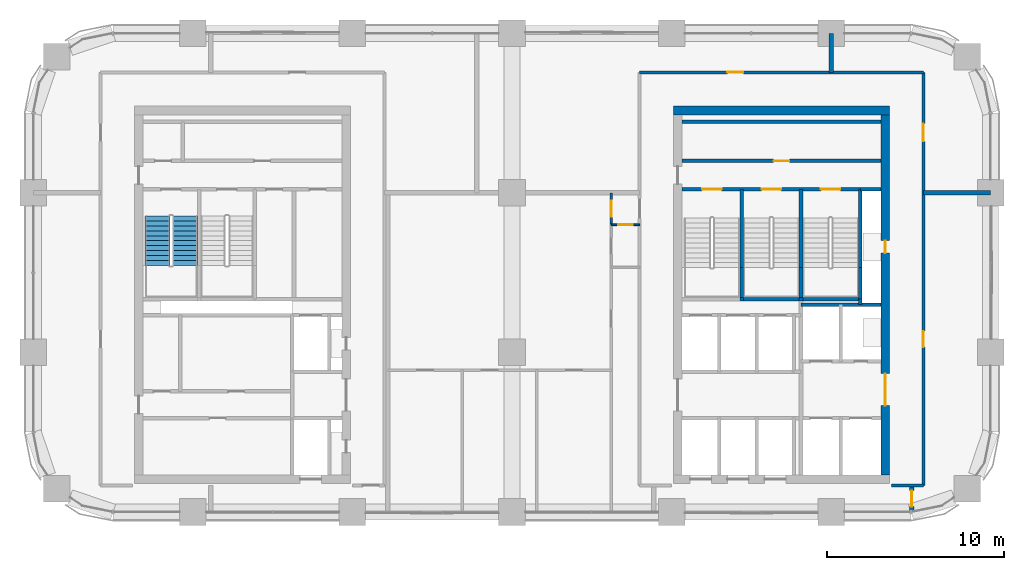
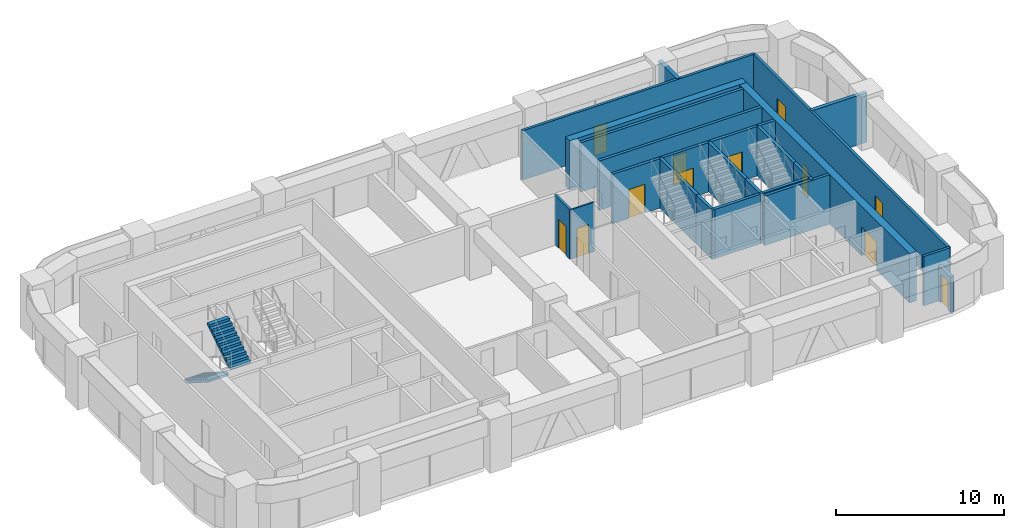
# One storey, part 11 of 19: 26 walls, 12 doors, 2 stair flights, 12 openings, 1 element without a shape of its own.
"""IFC4 building model written with IfcOpenShell, lengths in metres."""

import ifcopenshell
import ifcopenshell.guid

model = None  # the IFC model being written
_history = None  # IfcOwnerHistory: only IFC2X3 demands one
_inside = {}  # id of a spatial element -> (the spatial element, [elements in it])
_under = {}  # id of a project, library or spatial element -> (it, [spatial elements below it])
_declared = {}  # id of a project -> (the project, [libraries it declares])
_typed = {}  # id of a type object -> (the type object, [elements of that type])
_made_of = {}  # id of a material, layer set ... -> (it, [elements and type objects made of it])


def new_model(schema):
    """Start an empty IFC model of exactly this schema.

    Asked for "IFC4X3", IfcOpenShell would pick the latest addendum, in which some entities
    have other attributes; the version numbers below select the first issue.
    IFC2X3 requires an IfcOwnerHistory on every rooted entity: one is made here for all.
    """
    global model, _history
    if schema == "IFC4X3":
        model = ifcopenshell.file(schema_version=(4, 3, 0, 0))
    else:
        model = ifcopenshell.file(schema=schema)
    _inside.clear()
    _under.clear()
    _declared.clear()
    _typed.clear()
    _made_of.clear()
    _history = None
    if model.schema == "IFC2X3":
        org = make("IfcOrganization", Name="unknown")
        user = make(
            "IfcPersonAndOrganization",
            ThePerson=make("IfcPerson", FamilyName="unknown"),
            TheOrganization=org,
        )
        app = make(
            "IfcApplication",
            ApplicationDeveloper=org,
            Version="unknown",
            ApplicationFullName="unknown",
            ApplicationIdentifier="unknown",
        )
        _history = make(
            "IfcOwnerHistory",
            OwningUser=user,
            OwningApplication=app,
            ChangeAction="ADDED",
            CreationDate=0,
        )
    return model


def make(cls, **values):
    """One entity of the class cls with the attributes given. An attribute that is None is left unset."""
    return model.create_entity(
        cls, **{name: value for name, value in values.items() if value is not None}
    )


def rooted(cls, **values):
    """An entity with a GlobalId (a new one), such as an element, a storey or a relation."""
    return make(cls, GlobalId=ifcopenshell.guid.new(), OwnerHistory=_history, **values)


def si_unit(unit_type, name, prefix=None):
    """IfcSIUnit, for example si_unit("LENGTHUNIT", "METRE", prefix="MILLI")."""
    return make("IfcSIUnit", UnitType=unit_type, Prefix=prefix, Name=name)


def assignment(units):
    """IfcUnitAssignment: the units of a project."""
    return None if units is None else make("IfcUnitAssignment", Units=units)


def point(xyz):
    """IfcCartesianPoint."""
    return None if xyz is None else make("IfcCartesianPoint", Coordinates=xyz)


def direction(xyz):
    """IfcDirection."""
    return None if xyz is None else make("IfcDirection", DirectionRatios=xyz)


def frame(location, z_axis=None, x_axis=None):
    """IfcAxis2Placement3D, a coordinate frame: its origin and axes. An axis left out is left unset."""
    return make(
        "IfcAxis2Placement3D",
        Location=point(location),
        Axis=direction(z_axis),
        RefDirection=direction(x_axis),
    )


def frame_2d(location, x_axis=None):
    """IfcAxis2Placement2D, a coordinate frame in the plane: its origin and x axis."""
    return make(
        "IfcAxis2Placement2D", Location=point(location), RefDirection=direction(x_axis)
    )


def origin():
    """The frame at (0, 0, 0) with its axes left unset."""
    return frame((0.0, 0.0, 0.0))


def place(relative_to, where):
    """IfcLocalPlacement: puts the frame where relative to a parent placement (None: the world)."""
    return make(
        "IfcLocalPlacement", PlacementRelTo=relative_to, RelativePlacement=where
    )


def context(
    kind, dimensions, precision=None, world=None, true_north=None, identifier=None
):
    """IfcGeometricRepresentationContext, for example the 3D "Model" context."""
    return make(
        "IfcGeometricRepresentationContext",
        ContextIdentifier=identifier,
        ContextType=kind,
        CoordinateSpaceDimension=dimensions,
        Precision=precision,
        WorldCoordinateSystem=world,
        TrueNorth=true_north,
    )


def subcontext(parent, identifier, kind, view, scale=None):
    """IfcGeometricRepresentationSubContext, for example "Body" below "Model"."""
    return make(
        "IfcGeometricRepresentationSubContext",
        ContextIdentifier=identifier,
        ContextType=kind,
        ParentContext=parent,
        TargetScale=scale,
        TargetView=view,
    )


def project(units=None, contexts=None):
    """IfcProject with its units and contexts."""
    return rooted(
        "IfcProject",
        Name="project",
        RepresentationContexts=contexts,
        UnitsInContext=assignment(units),
    )


def spatial(cls, under=None, at=None, **own):
    """A site, building, storey or space (cls), placed at a placement, below another one or the project."""
    s = rooted(cls, ObjectPlacement=at, **own)
    if under is not None:
        _under.setdefault(under.id(), (under, []))[1].append(s)
    return s


def polyline(points):
    """IfcPolyline through the points."""
    return make("IfcPolyline", Points=[point(p) for p in points])


def profile(cls, at=None, kind="AREA", **sizes):
    """A parametric profile (cls). Its sizes go by their IFC names, for example OverallWidth=200.0."""
    return make(cls, ProfileType=kind, Position=at, **sizes)


def rectangle(**sizes):
    """IfcRectangleProfileDef."""
    return profile("IfcRectangleProfileDef", **sizes)


def outline(outer, holes=None, kind="AREA"):
    """IfcArbitraryClosedProfileDef: a profile drawn as a closed curve; with holes, ...WithVoids."""
    if holes is None:
        return make("IfcArbitraryClosedProfileDef", ProfileType=kind, OuterCurve=outer)
    return make(
        "IfcArbitraryProfileDefWithVoids",
        ProfileType=kind,
        OuterCurve=outer,
        InnerCurves=holes,
    )


def extrude(swept, where, along, depth):
    """IfcExtrudedAreaSolid: the profile swept, set in the frame where, extruded along a direction by depth."""
    return make(
        "IfcExtrudedAreaSolid",
        SweptArea=swept,
        Position=where,
        ExtrudedDirection=direction(along),
        Depth=depth,
    )


def shape(context_of_items, identifier, shape_type, items):
    """IfcShapeRepresentation: the items that make up one representation, for example the "Body"."""
    return make(
        "IfcShapeRepresentation",
        ContextOfItems=context_of_items,
        RepresentationIdentifier=identifier,
        RepresentationType=shape_type,
        Items=items,
    )


def material(Name=None, Category=None):
    """IfcMaterial."""
    return make("IfcMaterial", Name=Name, Category=Category)


def layer(
    of_material, thickness, ventilated=None, Name=None, Category=None, Priority=None
):
    """IfcMaterialLayer: one layer of a wall or slab, of a material (None: an air gap)."""
    return make(
        "IfcMaterialLayer",
        Material=of_material,
        LayerThickness=thickness,
        IsVentilated=ventilated,
        Name=Name,
        Category=Category,
        Priority=Priority,
    )


def layer_set(layers, Name=None):
    """IfcMaterialLayerSet."""
    return make("IfcMaterialLayerSet", MaterialLayers=layers, LayerSetName=Name)


def made_of(thing, what):
    """Note that an element or type object is made of a material, layer set ...; save() writes the relation."""
    if what is not None:
        _made_of.setdefault(what.id(), (what, []))[1].append(thing)
    return thing


def type_object(cls, material=None, **own):
    """A type object (cls), such as IfcWallType, which elements share."""
    return made_of(rooted(cls, **own), material)


def element(
    cls,
    number,
    at=None,
    inside=None,
    cuts=None,
    type_object=None,
    material=None,
    context=None,
    identifier="Body",
    shape_type=None,
    held_by="IfcProductDefinitionShape",
    body=None,
    shapes=None,
    **own,
):
    """One element of the class cls, such as IfcWall. Its Tag is "e" and its number.

    at: its placement. inside: the storey or other place that contains it. cuts: it is an
    opening in that element (IfcRelVoidsElement). A single representation is given by context,
    identifier, shape_type and body (its items); several are given by shapes. held_by: the class
    of the entity that holds the representations. save() writes the other relations.
    """
    e = rooted(cls, Tag="e%d" % number, ObjectPlacement=at, **own)
    if body is not None:
        shapes = [shape(context, identifier, shape_type, body)]
    if shapes is not None:
        e.Representation = make(held_by, Representations=shapes)
    if inside is not None:
        _inside.setdefault(inside.id(), (inside, []))[1].append(e)
    if cuts is not None:
        rooted(
            "IfcRelVoidsElement", RelatingBuildingElement=cuts, RelatedOpeningElement=e
        )
    if type_object is not None:
        _typed.setdefault(type_object.id(), (type_object, []))[1].append(e)
    return made_of(e, material)


def fill(opening, filler):
    """IfcRelFillsElement: the door or window that sits in an opening."""
    return rooted(
        "IfcRelFillsElement",
        RelatingOpeningElement=opening,
        RelatedBuildingElement=filler,
    )


def aggregate(whole, parts):
    """IfcRelAggregates: a whole, such as a stair, and the parts it consists of."""
    return rooted("IfcRelAggregates", RelatingObject=whole, RelatedObjects=parts)


def save(model, path):
    """Write the relations noted so far, then the file.

    IfcRelAggregates (storeys below a building ...), IfcRelContainedInSpatialStructure (elements
    in a storey), IfcRelDefinesByType, IfcRelAssociatesMaterial and IfcRelDeclares: one each for
    every whole, place, type object, material and project.
    """
    for whole, parts in _under.values():
        aggregate(whole, parts)
    for where, things in _inside.values():
        rooted(
            "IfcRelContainedInSpatialStructure",
            RelatedElements=things,
            RelatingStructure=where,
        )
    for kind, things in _typed.values():
        rooted("IfcRelDefinesByType", RelatedObjects=things, RelatingType=kind)
    for what, things in _made_of.values():
        rooted("IfcRelAssociatesMaterial", RelatedObjects=things, RelatingMaterial=what)
    for by, libraries in _declared.values():
        rooted("IfcRelDeclares", RelatingContext=by, RelatedDefinitions=libraries)
    model.write(path)


model = new_model("IFC4")

# Units and contexts
model_context = context("Model", 3, precision=1e-05, world=origin(), true_north=direction((0.0, 1.0)))
body_context = subcontext(model_context, "Body", "Model", "MODEL_VIEW")
ifc_project = project(units=[si_unit("LENGTHUNIT", "METRE"), si_unit("AREAUNIT", "SQUARE_METRE"), si_unit("VOLUMEUNIT", "CUBIC_METRE"), si_unit("PLANEANGLEUNIT", "RADIAN"), si_unit("MASSUNIT", "GRAM", prefix="KILO")], contexts=[model_context])

# Site, building, storey
site_placement = place(None, origin())
site = spatial("IfcSite", under=ifc_project, at=site_placement, CompositionType="ELEMENT")
building_placement = place(site_placement, origin())
building = spatial("IfcBuilding", under=site, at=building_placement, Name="Tessera Arch", CompositionType="ELEMENT")
storey_placement = place(building_placement, frame((0.0, 0.0, 170.0)))
storey = spatial("IfcBuildingStorey", under=building, at=storey_placement, Name="L40", CompositionType="ELEMENT", Elevation=170.0)

# Wall, opening, door
ifc_material_1 = material(Name="Gypsum board on steel stud", Category="steel")
ifc_layer_1 = layer(ifc_material_1, 0.125)
ifc_layer_set_1 = layer_set([ifc_layer_1], Name="Core partition 125 EI 60")
wall_type_1 = type_object("IfcWallType", Name="Core partition 125 EI 60", PredefinedType="PARTITIONING", material=ifc_layer_set_1)
wall_1_placement = place(storey_placement, frame((36.60009765625, 46.800048828125, 0.0), z_axis=(0.0, 0.0, 1.0), x_axis=(1.0, 0.0, 0.0)))
wall_1 = element("IfcWall", 1, at=wall_1_placement, inside=storey, type_object=wall_type_1, Name="L40 C1 partition wall 30", PredefinedType="PARTITIONING", context=body_context, shape_type="SweptSolid", body=[
    extrude(rectangle(XDim=11.199951171875, YDim=0.199951171875, at=frame_2d((5.60009765625, 0.0))), origin(), (0.0, 0.0, 1.0), 3.60009765625),
])
opening_1_placement = place(wall_1_placement, frame((5.14990234375, 0.0, 0.0)))
opening_1 = element("IfcOpeningElement", 2, at=opening_1_placement, cuts=wall_1, Name="Opening L40-C18", PredefinedType="OPENING", context=body_context, shape_type="SweptSolid", body=[
    extrude(rectangle(XDim=0.89990234375, YDim=2.10009765625, at=frame_2d((0.449951171875, 1.050048828125))), frame((0.0, 0.10986328125, 0.0), z_axis=(0.0, -1.0, 0.0), x_axis=(1.0, 0.0, 0.0)), (0.0, 0.0, 1.0), 0.219970703125),
])
ifc_material_2 = material(Name="Steel door leaf", Category="steel")
door_type_1 = type_object("IfcDoorType", Name="Store door FD30S 900 x 2100", OperationType="SINGLE_SWING_LEFT", PredefinedType="DOOR", material=ifc_material_2)
door_1_placement = place(opening_1_placement, origin())
door_1 = element("IfcDoor", 3, at=door_1_placement, inside=storey, type_object=door_type_1, Name="L40 C1 door 18 C18 type D09", OperationType="SINGLE_SWING_RIGHT", OverallHeight=2.10009765625, OverallWidth=0.89990234375, PredefinedType="DOOR", context=body_context, shape_type="SweptSolid", body=[
    extrude(rectangle(XDim=0.89990234375, YDim=2.10009765625, at=frame_2d((0.449951171875, 1.050048828125))), frame((0.0, 0.02490234375, 0.0), z_axis=(0.0, -1.0, 0.0), x_axis=(1.0, 0.0, 0.0)), (0.0, 0.0, 1.0), 0.050048828125),
])
fill(opening_1, door_1)

# Walls
wall_2_placement = place(storey_placement, frame((36.60009765625, 49.0, 0.0), z_axis=(0.0, 0.0, 1.0), x_axis=(1.0, 0.0, 0.0)))
element("IfcWall", 4, at=wall_2_placement, inside=storey, type_object=wall_type_1, Name="L40 C1 partition wall 31", PredefinedType="PARTITIONING", context=body_context, shape_type="SweptSolid", body=[
    extrude(rectangle(XDim=11.199951171875, YDim=0.199951171875, at=frame_2d((5.60009765625, 0.0))), origin(), (0.0, 0.0, 1.0), 3.60009765625),
])
ifc_material_3 = material(Name="Concrete C60/75", Category="concrete")
ifc_layer_2 = layer(ifc_material_3, 0.5)
ifc_layer_set_2 = layer_set([ifc_layer_2], Name="Core shell wall 500 C60-75")
wall_type_2 = type_object("IfcWallType", Name="Core shell wall 500 C60-75", PredefinedType="SHEAR", material=ifc_layer_set_2)
wall_3_placement = place(storey_placement, frame((36.10009765625, 49.64990234375, 0.0), z_axis=(0.0, 0.0, 1.0), x_axis=(1.0, 0.0, 0.0)))
element("IfcWall", 5, at=wall_3_placement, inside=storey, type_object=wall_type_2, Name="L40 C1 core wall N", PredefinedType="SHEAR", context=body_context, shape_type="SweptSolid", body=[
    extrude(rectangle(XDim=12.199951171875, YDim=0.5, at=frame_2d((6.10009765625, 0.0))), origin(), (0.0, 0.0, 1.0), 3.60009765625),
])

# Wall, openings, doors
wall_4_placement = place(storey_placement, frame((48.050048828125, 29.10009765625, 0.0), z_axis=(0.0, 0.0, 1.0), x_axis=(0.0, 1.0, 0.0)))
wall_4 = element("IfcWall", 6, at=wall_4_placement, inside=storey, type_object=wall_type_2, Name="L40 C1 core wall E", PredefinedType="SHEAR", context=body_context, shape_type="SweptSolid", body=[
    extrude(rectangle(XDim=20.2998046875, YDim=0.5, at=frame_2d((10.14990234375, 0.0))), origin(), (0.0, 0.0, 1.0), 3.60009765625),
])
opening_2_placement = place(wall_4_placement, frame((12.5, 0.0, 0.0)))
opening_2 = element("IfcOpeningElement", 7, at=opening_2_placement, cuts=wall_4, Name="Opening L40-C14", PredefinedType="OPENING", context=body_context, shape_type="SweptSolid", body=[
    extrude(rectangle(XDim=0.699951171875, YDim=2.10009765625, at=frame_2d((0.35009765625, 1.050048828125))), frame((0.0, 0.260009765625, 0.0), z_axis=(0.0, -1.0, 0.0), x_axis=(1.0, 0.0, 0.0)), (0.0, 0.0, 1.0), 0.52001953125),
])
opening_3_placement = place(wall_4_placement, frame((3.89990234375, 0.0, 0.0)))
opening_3 = element("IfcOpeningElement", 8, at=opening_3_placement, cuts=wall_4, Name="Opening L40-C15", PredefinedType="OPENING", context=body_context, shape_type="SweptSolid", body=[
    extrude(rectangle(XDim=1.800048828125, YDim=2.10009765625, at=frame_2d((0.89990234375, 1.050048828125))), frame((0.0, 0.260009765625, 0.0), z_axis=(0.0, -1.0, 0.0), x_axis=(1.0, 0.0, 0.0)), (0.0, 0.0, 1.0), 0.52001953125),
])
ifc_material_4 = material(Name="Glazed steel door leaf", Category="steel")
door_type_2 = type_object("IfcDoorType", Name="Lobby double door FD60 1800 x 2100", OperationType="DOUBLE_DOOR_SINGLE_SWING", PredefinedType="DOOR", material=ifc_material_4)
door_2_placement = place(opening_3_placement, origin())
door_2 = element("IfcDoor", 9, at=door_2_placement, inside=storey, type_object=door_type_2, Name="L40 C1 door 15 C15 type D19", OperationType="DOUBLE_DOOR_SINGLE_SWING", OverallHeight=2.10009765625, OverallWidth=1.800048828125, PredefinedType="DOOR", context=body_context, shape_type="SweptSolid", body=[
    extrude(rectangle(XDim=1.800048828125, YDim=2.10009765625, at=frame_2d((0.89990234375, 1.050048828125))), frame((0.0, 0.02490234375, 0.0), z_axis=(0.0, -1.0, 0.0), x_axis=(1.0, 0.0, 0.0)), (0.0, 0.0, 1.0), 0.050048828125),
])
fill(opening_3, door_2)
ifc_material_5 = material(Name="Steel door leaf", Category="steel")
door_type_3 = type_object("IfcDoorType", Name="Service shaft door FD60 700 x 2100", OperationType="SINGLE_SWING_LEFT", PredefinedType="DOOR", material=ifc_material_5)
door_3_placement = place(opening_2_placement, origin())
door_3 = element("IfcDoor", 10, at=door_3_placement, inside=storey, type_object=door_type_3, Name="L40 C1 door 14 C14 type D07", OperationType="SINGLE_SWING_RIGHT", OverallHeight=2.10009765625, OverallWidth=0.699951171875, PredefinedType="DOOR", context=body_context, shape_type="SweptSolid", body=[
    extrude(rectangle(XDim=0.699951171875, YDim=2.10009765625, at=frame_2d((0.35009765625, 1.050048828125))), frame((0.0, 0.02490234375, 0.0), z_axis=(0.0, -1.0, 0.0), x_axis=(1.0, 0.0, 0.0)), (0.0, 0.0, 1.0), 0.050048828125),
])
fill(opening_2, door_3)

# Wall
ifc_material_6 = material(Name="Gypsum board on deep steel stud with mineral wool", Category="steel")
ifc_layer_3 = layer(ifc_material_6, 0.175048828125)
ifc_layer_set_3 = layer_set([ifc_layer_3], Name="Corridor wall 175 EI 60")
wall_type_3 = type_object("IfcWallType", Name="Corridor wall 175 EI 60", PredefinedType="PARTITIONING", material=ifc_layer_set_3)
wall_5_placement = place(storey_placement, frame((48.39990234375, 28.5, 0.0), z_axis=(0.0, 0.0, 1.0), x_axis=(1.0, 0.0, 0.0)))
element("IfcWall", 11, at=wall_5_placement, inside=storey, type_object=wall_type_3, Name="L40 partition 4", PredefinedType="PARTITIONING", context=body_context, shape_type="SweptSolid", body=[
    extrude(rectangle(XDim=1.800048828125, YDim=0.175048828125, at=frame_2d((0.89990234375, 0.0))), origin(), (0.0, 0.0, 1.0), 3.60009765625),
])

# Wall, opening, door
wall_6_placement = place(storey_placement, frame((34.199951171875, 51.800048828125, 0.0), z_axis=(0.0, 0.0, 1.0), x_axis=(1.0, 0.0, 0.0)))
wall_6 = element("IfcWall", 12, at=wall_6_placement, inside=storey, type_object=wall_type_3, Name="L40 partition 6", PredefinedType="PARTITIONING", context=body_context, shape_type="SweptSolid", body=[
    extrude(rectangle(XDim=16.0, YDim=0.175048828125, at=frame_2d((8.0, 0.0))), origin(), (0.0, 0.0, 1.0), 3.60009765625),
])
opening_4_placement = place(wall_6_placement, frame((4.949951171875, 0.0, 0.0)))
opening_4 = element("IfcOpeningElement", 13, at=opening_4_placement, cuts=wall_6, Name="Opening L40-D014", PredefinedType="OPENING", context=body_context, shape_type="SweptSolid", body=[
    extrude(rectangle(XDim=0.89990234375, YDim=2.10009765625, at=frame_2d((0.449951171875, 1.050048828125))), frame((0.0, 0.097412109375, 0.0), z_axis=(0.0, -1.0, 0.0), x_axis=(1.0, 0.0, 0.0)), (0.0, 0.0, 1.0), 0.195068359375),
])
ifc_material_7 = material(Name="Timber door leaf", Category="wood")
door_type_4 = type_object("IfcDoorType", Name="Room door 900 x 2100", OperationType="SINGLE_SWING_LEFT", PredefinedType="DOOR", material=ifc_material_7)
door_4_placement = place(opening_4_placement, origin())
door_4 = element("IfcDoor", 14, at=door_4_placement, inside=storey, type_object=door_type_4, Name="L40 door D014 type D01", OperationType="SINGLE_SWING_RIGHT", OverallHeight=2.10009765625, OverallWidth=0.89990234375, PredefinedType="DOOR", context=body_context, shape_type="SweptSolid", body=[
    extrude(rectangle(XDim=0.89990234375, YDim=2.10009765625, at=frame_2d((0.449951171875, 1.050048828125))), frame((0.0, 0.02490234375, 0.0), z_axis=(0.0, -1.0, 0.0), x_axis=(1.0, 0.0, 0.0)), (0.0, 0.0, 1.0), 0.050048828125),
])
fill(opening_4, door_4)

# Wall, openings, doors
wall_7_placement = place(storey_placement, frame((50.199951171875, 28.5, 0.0), z_axis=(0.0, 0.0, 1.0), x_axis=(0.0, 1.0, 0.0)))
wall_7 = element("IfcWall", 15, at=wall_7_placement, inside=storey, type_object=wall_type_3, Name="L40 partition 10", PredefinedType="PARTITIONING", context=body_context, shape_type="SweptSolid", body=[
    extrude(rectangle(XDim=23.300048828125, YDim=0.175048828125, at=frame_2d((11.64990234375, 0.0))), origin(), (0.0, 0.0, 1.0), 3.60009765625),
])
opening_5_placement = place(wall_7_placement, frame((7.800048828125, 0.0, 0.0)))
opening_5 = element("IfcOpeningElement", 16, at=opening_5_placement, cuts=wall_7, Name="Opening L40-D011", PredefinedType="OPENING", context=body_context, shape_type="SweptSolid", body=[
    extrude(rectangle(XDim=0.89990234375, YDim=2.10009765625, at=frame_2d((0.449951171875, 1.050048828125))), frame((0.0, 0.097412109375, 0.0), z_axis=(0.0, -1.0, 0.0), x_axis=(1.0, 0.0, 0.0)), (0.0, 0.0, 1.0), 0.195068359375),
])
opening_6_placement = place(wall_7_placement, frame((19.39990234375, 0.0, 0.0)))
opening_6 = element("IfcOpeningElement", 17, at=opening_6_placement, cuts=wall_7, Name="Opening L40-D012", PredefinedType="OPENING", context=body_context, shape_type="SweptSolid", body=[
    extrude(rectangle(XDim=1.0, YDim=2.10009765625, at=frame_2d((0.5, 1.050048828125))), frame((0.0, 0.097412109375, 0.0), z_axis=(0.0, -1.0, 0.0), x_axis=(1.0, 0.0, 0.0)), (0.0, 0.0, 1.0), 0.195068359375),
])
ifc_material_8 = material(Name="Fire-rated door leaf")
door_type_5 = type_object("IfcDoorType", Name="Entrance door FD30S 1000 x 2100", OperationType="SINGLE_SWING_LEFT", PredefinedType="DOOR", material=ifc_material_8)
door_5_placement = place(opening_6_placement, origin())
door_5 = element("IfcDoor", 18, at=door_5_placement, inside=storey, type_object=door_type_5, Name="L40 door D012 type D03", OperationType="SINGLE_SWING_LEFT", OverallHeight=2.10009765625, OverallWidth=1.0, PredefinedType="DOOR", context=body_context, shape_type="SweptSolid", body=[
    extrude(rectangle(XDim=1.0, YDim=2.10009765625, at=frame_2d((0.5, 1.050048828125))), frame((0.0, 0.02490234375, 0.0), z_axis=(0.0, -1.0, 0.0), x_axis=(1.0, 0.0, 0.0)), (0.0, 0.0, 1.0), 0.050048828125),
])
fill(opening_6, door_5)
door_6_placement = place(opening_5_placement, origin())
door_6 = element("IfcDoor", 19, at=door_6_placement, inside=storey, type_object=door_type_4, Name="L40 door D011 type D01", OperationType="SINGLE_SWING_RIGHT", OverallHeight=2.10009765625, OverallWidth=0.89990234375, PredefinedType="DOOR", context=body_context, shape_type="SweptSolid", body=[
    extrude(rectangle(XDim=0.89990234375, YDim=2.10009765625, at=frame_2d((0.449951171875, 1.050048828125))), frame((0.0, 0.02490234375, 0.0), z_axis=(0.0, -1.0, 0.0), x_axis=(1.0, 0.0, 0.0)), (0.0, 0.0, 1.0), 0.050048828125),
])
fill(opening_5, door_6)

# Wall, opening, door
ifc_material_9 = material(Name="Gypsum board on steel stud", Category="steel")
ifc_layer_4 = layer(ifc_material_9, 0.14990234375)
ifc_layer_set_4 = layer_set([ifc_layer_4], Name="Partition 150")
wall_type_4 = type_object("IfcWallType", Name="Partition 150", PredefinedType="PARTITIONING", material=ifc_layer_set_4)
wall_8_placement = place(storey_placement, frame((32.60009765625, 43.199951171875, 0.0), z_axis=(0.0, 0.0, 1.0), x_axis=(0.0, 1.0, 0.0)))
wall_8 = element("IfcWall", 20, at=wall_8_placement, inside=storey, type_object=wall_type_4, Name="L40 partition 15", PredefinedType="PARTITIONING", context=body_context, shape_type="SweptSolid", body=[
    extrude(rectangle(XDim=1.800048828125, YDim=0.14990234375, at=frame_2d((0.89990234375, 0.0))), origin(), (0.0, 0.0, 1.0), 3.60009765625),
])
opening_7_placement = place(wall_8_placement, frame((0.449951171875, 0.0, 0.0)))
opening_7 = element("IfcOpeningElement", 21, at=opening_7_placement, cuts=wall_8, Name="Opening L40-D004", PredefinedType="OPENING", context=body_context, shape_type="SweptSolid", body=[
    extrude(rectangle(XDim=0.89990234375, YDim=2.10009765625, at=frame_2d((0.449951171875, 1.050048828125))), frame((0.0, 0.0849609375, 0.0), z_axis=(0.0, -1.0, 0.0), x_axis=(1.0, 0.0, 0.0)), (0.0, 0.0, 1.0), 0.169921875),
])
door_7_placement = place(opening_7_placement, origin())
door_7 = element("IfcDoor", 22, at=door_7_placement, inside=storey, type_object=door_type_4, Name="L40 door D004 type D01", OperationType="SINGLE_SWING_LEFT", OverallHeight=2.10009765625, OverallWidth=0.89990234375, PredefinedType="DOOR", context=body_context, shape_type="SweptSolid", body=[
    extrude(rectangle(XDim=0.89990234375, YDim=2.10009765625, at=frame_2d((0.449951171875, 1.050048828125))), frame((0.0, 0.02490234375, 0.0), z_axis=(0.0, -1.0, 0.0), x_axis=(1.0, 0.0, 0.0)), (0.0, 0.0, 1.0), 0.050048828125),
])
fill(opening_7, door_7)

# Walls
ifc_material_10 = material(Name="Double gypsum board on twin steel stud with acoustic mineral wool", Category="steel")
ifc_layer_5 = layer(ifc_material_10, 0.25)
ifc_layer_set_5 = layer_set([ifc_layer_5], Name="Party wall 250 EI 60")
wall_type_5 = type_object("IfcWallType", Name="Party wall 250 EI 60", PredefinedType="PARTITIONING", material=ifc_layer_set_5)
wall_9_placement = place(storey_placement, frame((50.199951171875, 45.0, 0.0), z_axis=(0.0, 0.0, 1.0), x_axis=(1.0, 0.0, 0.0)))
element("IfcWall", 23, at=wall_9_placement, inside=storey, type_object=wall_type_5, Name="L40 partition 18", PredefinedType="PARTITIONING", context=body_context, shape_type="SweptSolid", body=[
    extrude(rectangle(XDim=3.800048828125, YDim=0.25, at=frame_2d((1.89990234375, 0.0))), origin(), (0.0, 0.0, 1.0), 3.60009765625),
])
wall_10_placement = place(storey_placement, frame((45.0, 51.800048828125, 0.0), z_axis=(0.0, 0.0, 1.0), x_axis=(0.0, 1.0, 0.0)))
element("IfcWall", 24, at=wall_10_placement, inside=storey, type_object=wall_type_5, Name="L40 partition 24", PredefinedType="PARTITIONING", context=body_context, shape_type="SweptSolid", body=[
    extrude(rectangle(XDim=2.199951171875, YDim=0.25, at=frame_2d((1.10009765625, 0.0))), origin(), (0.0, 0.0, 1.0), 3.60009765625),
])

# Wall, opening, door
wall_11_placement = place(storey_placement, frame((49.548095703125, 27.009521484375, 0.0), z_axis=(0.0, 0.0, 1.0), x_axis=(0.0, 1.0, 0.0)))
wall_11 = element("IfcWall", 25, at=wall_11_placement, inside=storey, type_object=wall_type_5, Name="L40 partition 25", PredefinedType="PARTITIONING", context=body_context, shape_type="SweptSolid", body=[
    extrude(rectangle(XDim=1.490478515625, YDim=0.25, at=frame_2d((0.7451171875, 0.0))), origin(), (0.0, 0.0, 1.0), 2.60009765625),
])
opening_8_placement = place(wall_11_placement, frame((0.295166015625, 0.0, 0.0)))
opening_8 = element("IfcOpeningElement", 26, at=opening_8_placement, cuts=wall_11, Name="Opening L40-D016", PredefinedType="OPENING", context=body_context, shape_type="SweptSolid", body=[
    extrude(rectangle(XDim=0.89990234375, YDim=2.10009765625, at=frame_2d((0.449951171875, 1.050048828125))), frame((0.0, 0.135009765625, 0.0), z_axis=(0.0, -1.0, 0.0), x_axis=(1.0, 0.0, 0.0)), (0.0, 0.0, 1.0), 0.27001953125),
])
door_8_placement = place(opening_8_placement, origin())
door_8 = element("IfcDoor", 27, at=door_8_placement, inside=storey, type_object=door_type_4, Name="L40 door D016 type D01", OperationType="SINGLE_SWING_RIGHT", OverallHeight=2.10009765625, OverallWidth=0.89990234375, PredefinedType="DOOR", context=body_context, shape_type="SweptSolid", body=[
    extrude(rectangle(XDim=0.89990234375, YDim=2.10009765625, at=frame_2d((0.449951171875, 1.050048828125))), frame((0.0, 0.02490234375, 0.0), z_axis=(0.0, -1.0, 0.0), x_axis=(1.0, 0.0, 0.0)), (0.0, 0.0, 1.0), 0.050048828125),
])
fill(opening_8, door_8)

# Walls
ifc_material_11 = material(Name="Concrete C40/50", Category="concrete")
ifc_layer_6 = layer(ifc_material_11, 0.199951171875)
ifc_layer_set_6 = layer_set([ifc_layer_6], Name="Shaft wall 200 EI 120")
wall_type_6 = type_object("IfcWallType", Name="Shaft wall 200 EI 120", PredefinedType="SOLIDWALL", material=ifc_layer_set_6)
wall_12_placement = place(storey_placement, frame((46.64990234375, 38.699951171875, 0.0), z_axis=(0.0, 0.0, 1.0), x_axis=(0.0, 1.0, 0.0)))
element("IfcWall", 28, at=wall_12_placement, inside=storey, type_object=wall_type_6, Name="L40 C1 shaft wall 14", PredefinedType="SOLIDWALL", context=body_context, shape_type="SweptSolid", body=[
    extrude(rectangle(XDim=0.300048828125, YDim=0.199951171875, at=frame_2d((0.14990234375, 0.0))), origin(), (0.0, 0.0, 1.0), 3.60009765625),
])
wall_13_placement = place(storey_placement, frame((43.300048828125, 38.699951171875, 0.0), z_axis=(0.0, 0.0, 1.0), x_axis=(1.0, 0.0, 0.0)))
element("IfcWall", 29, at=wall_13_placement, inside=storey, type_object=wall_type_6, Name="L40 C1 shaft wall 22", PredefinedType="SOLIDWALL", context=body_context, shape_type="SweptSolid", body=[
    extrude(rectangle(XDim=4.5, YDim=0.199951171875, at=frame_2d((2.25, 0.0))), origin(), (0.0, 0.0, 1.0), 3.60009765625),
])
wall_14_placement = place(storey_placement, frame((46.64990234375, 45.199951171875, 0.0), z_axis=(0.0, 0.0, 1.0), x_axis=(1.0, 0.0, 0.0)))
element("IfcWall", 30, at=wall_14_placement, inside=storey, type_object=wall_type_6, Name="L40 C1 shaft wall 28", PredefinedType="SOLIDWALL", context=body_context, shape_type="SweptSolid", body=[
    extrude(rectangle(XDim=1.150146484375, YDim=0.199951171875, at=frame_2d((0.5751953125, 0.0))), origin(), (0.0, 0.0, 1.0), 3.60009765625),
])
ifc_material_12 = material(Name="Concrete C40/50", Category="concrete")
ifc_layer_7 = layer(ifc_material_12, 0.199951171875)
ifc_layer_set_7 = layer_set([ifc_layer_7], Name="Stair well wall 200 REI 180")
wall_type_7 = type_object("IfcWallType", Name="Stair well wall 200 REI 180", PredefinedType="SOLIDWALL", material=ifc_layer_set_7)
wall_15_placement = place(storey_placement, frame((39.949951171875, 39.0, 0.0), z_axis=(0.0, 0.0, 1.0), x_axis=(0.0, 1.0, 0.0)))
element("IfcWall", 31, at=wall_15_placement, inside=storey, type_object=wall_type_7, Name="L40 C1 shaft wall 3", PredefinedType="SOLIDWALL", context=body_context, shape_type="SweptSolid", body=[
    extrude(rectangle(XDim=1.780029296875, YDim=0.199951171875, at=frame_2d((0.89013671875, 0.0))), origin(), (0.0, 0.0, 1.0), 3.60009765625),
])
wall_16_placement = place(storey_placement, frame((39.949951171875, 40.780029296875, 0.0), z_axis=(0.0, 0.0, 1.0), x_axis=(0.0, 1.0, 0.0)))
element("IfcWall", 32, at=wall_16_placement, inside=storey, type_object=wall_type_7, Name="L40 C1 shaft wall 4", PredefinedType="SOLIDWALL", context=body_context, shape_type="SweptSolid", body=[
    extrude(rectangle(XDim=4.419921875, YDim=0.199951171875, at=frame_2d((2.2099609375, 0.0))), origin(), (0.0, 0.0, 1.0), 3.60009765625),
])
wall_17_placement = place(storey_placement, frame((43.300048828125, 39.0, 0.0), z_axis=(0.0, 0.0, 1.0), x_axis=(0.0, 1.0, 0.0)))
element("IfcWall", 33, at=wall_17_placement, inside=storey, type_object=wall_type_7, Name="L40 C1 shaft wall 10", PredefinedType="SOLIDWALL", context=body_context, shape_type="SweptSolid", body=[
    extrude(rectangle(XDim=1.780029296875, YDim=0.199951171875, at=frame_2d((0.89013671875, 0.0))), origin(), (0.0, 0.0, 1.0), 3.60009765625),
])
wall_18_placement = place(storey_placement, frame((43.300048828125, 40.780029296875, 0.0), z_axis=(0.0, 0.0, 1.0), x_axis=(0.0, 1.0, 0.0)))
element("IfcWall", 34, at=wall_18_placement, inside=storey, type_object=wall_type_7, Name="L40 C1 shaft wall 11", PredefinedType="SOLIDWALL", context=body_context, shape_type="SweptSolid", body=[
    extrude(rectangle(XDim=4.419921875, YDim=0.199951171875, at=frame_2d((2.2099609375, 0.0))), origin(), (0.0, 0.0, 1.0), 3.60009765625),
])
wall_19_placement = place(storey_placement, frame((46.64990234375, 39.0, 0.0), z_axis=(0.0, 0.0, 1.0), x_axis=(0.0, 1.0, 0.0)))
element("IfcWall", 35, at=wall_19_placement, inside=storey, type_object=wall_type_7, Name="L40 C1 shaft wall 15", PredefinedType="SOLIDWALL", context=body_context, shape_type="SweptSolid", body=[
    extrude(rectangle(XDim=1.780029296875, YDim=0.199951171875, at=frame_2d((0.89013671875, 0.0))), origin(), (0.0, 0.0, 1.0), 3.60009765625),
])
wall_20_placement = place(storey_placement, frame((46.64990234375, 40.780029296875, 0.0), z_axis=(0.0, 0.0, 1.0), x_axis=(0.0, 1.0, 0.0)))
element("IfcWall", 36, at=wall_20_placement, inside=storey, type_object=wall_type_7, Name="L40 C1 shaft wall 16", PredefinedType="SOLIDWALL", context=body_context, shape_type="SweptSolid", body=[
    extrude(rectangle(XDim=4.419921875, YDim=0.199951171875, at=frame_2d((2.2099609375, 0.0))), origin(), (0.0, 0.0, 1.0), 3.60009765625),
])
wall_21_placement = place(storey_placement, frame((39.85009765625, 39.0, 0.0), z_axis=(0.0, 0.0, 1.0), x_axis=(1.0, 0.0, 0.0)))
element("IfcWall", 37, at=wall_21_placement, inside=storey, type_object=wall_type_7, Name="L40 C1 shaft wall 24", PredefinedType="SOLIDWALL", context=body_context, shape_type="SweptSolid", body=[
    extrude(rectangle(XDim=0.199951171875, YDim=0.199951171875, at=frame_2d((0.10009765625, 0.0))), origin(), (0.0, 0.0, 1.0), 3.60009765625),
])
wall_22_placement = place(storey_placement, frame((40.050048828125, 39.0, 0.0), z_axis=(0.0, 0.0, 1.0), x_axis=(1.0, 0.0, 0.0)))
element("IfcWall", 38, at=wall_22_placement, inside=storey, type_object=wall_type_7, Name="L40 C1 shaft wall 25", PredefinedType="SOLIDWALL", context=body_context, shape_type="SweptSolid", body=[
    extrude(rectangle(XDim=3.14990234375, YDim=0.199951171875, at=frame_2d((1.574951171875, 0.0))), origin(), (0.0, 0.0, 1.0), 3.60009765625),
])
wall_23_placement = place(storey_placement, frame((43.199951171875, 39.0, 0.0), z_axis=(0.0, 0.0, 1.0), x_axis=(1.0, 0.0, 0.0)))
element("IfcWall", 39, at=wall_23_placement, inside=storey, type_object=wall_type_7, Name="L40 C1 shaft wall 26", PredefinedType="SOLIDWALL", context=body_context, shape_type="SweptSolid", body=[
    extrude(rectangle(XDim=0.199951171875, YDim=0.199951171875, at=frame_2d((0.10009765625, 0.0))), origin(), (0.0, 0.0, 1.0), 3.60009765625),
])
wall_24_placement = place(storey_placement, frame((43.39990234375, 39.0, 0.0), z_axis=(0.0, 0.0, 1.0), x_axis=(1.0, 0.0, 0.0)))
element("IfcWall", 40, at=wall_24_placement, inside=storey, type_object=wall_type_7, Name="L40 C1 shaft wall 27", PredefinedType="SOLIDWALL", context=body_context, shape_type="SweptSolid", body=[
    extrude(rectangle(XDim=3.25, YDim=0.199951171875, at=frame_2d((1.625, 0.0))), origin(), (0.0, 0.0, 1.0), 3.60009765625),
])

# Wall, openings, doors
wall_25_placement = place(storey_placement, frame((36.60009765625, 45.199951171875, 0.0), z_axis=(0.0, 0.0, 1.0), x_axis=(1.0, 0.0, 0.0)))
wall_25 = element("IfcWall", 41, at=wall_25_placement, inside=storey, type_object=wall_type_7, Name="L40 C1 shaft wall 29", PredefinedType="SOLIDWALL", context=body_context, shape_type="SweptSolid", body=[
    extrude(rectangle(XDim=10.0498046875, YDim=0.199951171875, at=frame_2d((5.02490234375, 0.0))), origin(), (0.0, 0.0, 1.0), 3.60009765625),
])
opening_9_placement = place(wall_25_placement, frame((1.125, 0.0, 0.0)))
opening_9 = element("IfcOpeningElement", 42, at=opening_9_placement, cuts=wall_25, Name="Opening L40-C11", PredefinedType="OPENING", context=body_context, shape_type="SweptSolid", body=[
    extrude(rectangle(XDim=1.10009765625, YDim=2.10009765625, at=frame_2d((0.550048828125, 1.050048828125))), frame((0.0, 0.10986328125, 0.0), z_axis=(0.0, -1.0, 0.0), x_axis=(1.0, 0.0, 0.0)), (0.0, 0.0, 1.0), 0.219970703125),
])
opening_10_placement = place(wall_25_placement, frame((4.47509765625, 0.0, 0.0)))
opening_10 = element("IfcOpeningElement", 43, at=opening_10_placement, cuts=wall_25, Name="Opening L40-C12", PredefinedType="OPENING", context=body_context, shape_type="SweptSolid", body=[
    extrude(rectangle(XDim=1.10009765625, YDim=2.10009765625, at=frame_2d((0.550048828125, 1.050048828125))), frame((0.0, 0.10986328125, 0.0), z_axis=(0.0, -1.0, 0.0), x_axis=(1.0, 0.0, 0.0)), (0.0, 0.0, 1.0), 0.219970703125),
])
opening_11_placement = place(wall_25_placement, frame((7.824951171875, 0.0, 0.0)))
opening_11 = element("IfcOpeningElement", 44, at=opening_11_placement, cuts=wall_25, Name="Opening L40-C13", PredefinedType="OPENING", context=body_context, shape_type="SweptSolid", body=[
    extrude(rectangle(XDim=1.10009765625, YDim=2.10009765625, at=frame_2d((0.550048828125, 1.050048828125))), frame((0.0, 0.10986328125, 0.0), z_axis=(0.0, -1.0, 0.0), x_axis=(1.0, 0.0, 0.0)), (0.0, 0.0, 1.0), 0.219970703125),
])
ifc_material_13 = material(Name="Steel door leaf", Category="steel")
door_type_6 = type_object("IfcDoorType", Name="Stair door FD60 1100 x 2100", OperationType="SINGLE_SWING_LEFT", PredefinedType="DOOR", material=ifc_material_13)
door_9_placement = place(opening_9_placement, origin())
door_9 = element("IfcDoor", 45, at=door_9_placement, inside=storey, type_object=door_type_6, Name="L40 C1 door 11 C11 type D05", OperationType="SINGLE_SWING_LEFT", OverallHeight=2.10009765625, OverallWidth=1.10009765625, PredefinedType="DOOR", context=body_context, shape_type="SweptSolid", body=[
    extrude(rectangle(XDim=1.10009765625, YDim=2.10009765625, at=frame_2d((0.550048828125, 1.050048828125))), frame((0.0, 0.02490234375, 0.0), z_axis=(0.0, -1.0, 0.0), x_axis=(1.0, 0.0, 0.0)), (0.0, 0.0, 1.0), 0.050048828125),
])
fill(opening_9, door_9)
door_10_placement = place(opening_10_placement, origin())
door_10 = element("IfcDoor", 46, at=door_10_placement, inside=storey, type_object=door_type_6, Name="L40 C1 door 12 C12 type D05", OperationType="SINGLE_SWING_RIGHT", OverallHeight=2.10009765625, OverallWidth=1.10009765625, PredefinedType="DOOR", context=body_context, shape_type="SweptSolid", body=[
    extrude(rectangle(XDim=1.10009765625, YDim=2.10009765625, at=frame_2d((0.550048828125, 1.050048828125))), frame((0.0, 0.02490234375, 0.0), z_axis=(0.0, -1.0, 0.0), x_axis=(1.0, 0.0, 0.0)), (0.0, 0.0, 1.0), 0.050048828125),
])
fill(opening_10, door_10)
door_11_placement = place(opening_11_placement, origin())
door_11 = element("IfcDoor", 47, at=door_11_placement, inside=storey, type_object=door_type_6, Name="L40 C1 door 13 C13 type D05", OperationType="SINGLE_SWING_RIGHT", OverallHeight=2.10009765625, OverallWidth=1.10009765625, PredefinedType="DOOR", context=body_context, shape_type="SweptSolid", body=[
    extrude(rectangle(XDim=1.10009765625, YDim=2.10009765625, at=frame_2d((0.550048828125, 1.050048828125))), frame((0.0, 0.02490234375, 0.0), z_axis=(0.0, -1.0, 0.0), x_axis=(1.0, 0.0, 0.0)), (0.0, 0.0, 1.0), 0.050048828125),
])
fill(opening_11, door_11)

# Wall, opening, door
ifc_material_14 = material(Name="Moisture-resistant board on pre-plumbed steel stud", Category="steel")
ifc_layer_8 = layer(ifc_material_14, 0.10009765625)
ifc_layer_set_8 = layer_set([ifc_layer_8], Name="Wet wall 100")
wall_type_8 = type_object("IfcWallType", Name="Wet wall 100", PredefinedType="PARTITIONING", material=ifc_layer_set_8)
wall_26_placement = place(storey_placement, frame((32.60009765625, 43.199951171875, 0.0), z_axis=(0.0, 0.0, 1.0), x_axis=(1.0, 0.0, 0.0)))
wall_26 = element("IfcWall", 48, at=wall_26_placement, inside=storey, type_object=wall_type_8, Name="L40 partition 27", PredefinedType="PARTITIONING", context=body_context, shape_type="SweptSolid", body=[
    extrude(rectangle(XDim=1.599853515625, YDim=0.10009765625, at=frame_2d((0.7998046875, 0.0))), origin(), (0.0, 0.0, 1.0), 3.60009765625),
])
opening_12_placement = place(wall_26_placement, frame((0.39990234375, 0.0, 0.0)))
opening_12 = element("IfcOpeningElement", 49, at=opening_12_placement, cuts=wall_26, Name="Opening L40-D005", PredefinedType="OPENING", context=body_context, shape_type="SweptSolid", body=[
    extrude(rectangle(XDim=0.800048828125, YDim=2.10009765625, at=frame_2d((0.39990234375, 1.050048828125))), frame((0.0, 0.06005859375, 0.0), z_axis=(0.0, -1.0, 0.0), x_axis=(1.0, 0.0, 0.0)), (0.0, 0.0, 1.0), 0.1201171875),
])
ifc_material_15 = material(Name="Timber door leaf", Category="wood")
door_type_7 = type_object("IfcDoorType", Name="En-suite door 800 x 2100", OperationType="SINGLE_SWING_LEFT", PredefinedType="DOOR", material=ifc_material_15)
door_12_placement = place(opening_12_placement, origin())
door_12 = element("IfcDoor", 50, at=door_12_placement, inside=storey, type_object=door_type_7, Name="L40 door D005 type D02", OperationType="SINGLE_SWING_LEFT", OverallHeight=2.10009765625, OverallWidth=0.800048828125, PredefinedType="DOOR", context=body_context, shape_type="SweptSolid", body=[
    extrude(rectangle(XDim=0.800048828125, YDim=2.10009765625, at=frame_2d((0.39990234375, 1.050048828125))), frame((0.0, 0.02490234375, 0.0), z_axis=(0.0, -1.0, 0.0), x_axis=(1.0, 0.0, 0.0)), (0.0, 0.0, 1.0), 0.050048828125),
])
fill(opening_12, door_12)

# Stair, stair flights
ifc_material_16 = material(Name="Concrete C40/50", Category="concrete")
stair_type = type_object("IfcStairType", Name="Dogleg stair 1400", PredefinedType="HALF_TURN_STAIR", material=ifc_material_16)
stair_placement = place(storey_placement, origin())
stair = element("IfcStair", 51, at=stair_placement, inside=storey, type_object=stair_type, Name="L40 S2a", PredefinedType="HALF_TURN_STAIR")
ifc_material_17 = material(Name="Concrete C40/50", Category="concrete")
stair_flight_type = type_object("IfcStairFlightType", Name="Stair flight 1400", PredefinedType="STRAIGHT", material=ifc_material_17)
stair_flight_1_placement = place(storey_placement, frame((7.0, 43.699951171875, 0.0), z_axis=(0.0, 0.0, 1.0), x_axis=(0.0, -1.0, 0.0)))
stair_flight_1 = element("IfcStairFlight", 52, at=stair_flight_1_placement, type_object=stair_flight_type, Name="S2a flight 1", NumberOfRisers=11, NumberOfTreads=10, PredefinedType="STRAIGHT", RiserHeight=0.177272727, TreadLength=0.28, context=body_context, shape_type="SweptSolid", body=[
    extrude(outline(polyline([(0.0, 0.0), (0.0, 0.17724609375), (0.280029296875, 0.17724609375), (0.280029296875, 0.3544921875), (0.56005859375, 0.3544921875), (0.56005859375, 0.53173828125), (0.840087890625, 0.53173828125), (0.840087890625, 0.708984375), (1.1201171875, 0.708984375), (1.1201171875, 0.886474609375), (1.39990234375, 0.886474609375), (1.39990234375, 1.063720703125), (1.679931640625, 1.063720703125), (1.679931640625, 1.240966796875), (1.9599609375, 1.240966796875), (1.9599609375, 1.418212890625), (2.239990234375, 1.418212890625), (2.239990234375, 1.595458984375), (2.52001953125, 1.595458984375), (2.52001953125, 1.772705078125), (2.800048828125, 1.772705078125), (2.800048828125, 1.949951171875), (2.800048828125, 1.59521484375), (0.2802734375, 0.0), (0.0, 0.0)])), frame((0.0, 0.699951171875, 0.0), z_axis=(0.0, -1.0, 0.0), x_axis=(1.0, 0.0, 0.0)), (0.0, 0.0, 1.0), 1.39990234375),
])
stair_flight_2_placement = place(storey_placement, frame((8.550048828125, 40.89990234375, 1.949951171875), z_axis=(0.0, 0.0, 1.0), x_axis=(0.0, 1.0, 0.0)))
stair_flight_2 = element("IfcStairFlight", 53, at=stair_flight_2_placement, type_object=stair_flight_type, Name="S2a flight 2", NumberOfRisers=11, NumberOfTreads=10, PredefinedType="STRAIGHT", RiserHeight=0.177272727, TreadLength=0.28, context=body_context, shape_type="SweptSolid", body=[
    extrude(outline(polyline([(0.0, 0.0), (0.0, 0.17724609375), (0.280029296875, 0.17724609375), (0.280029296875, 0.3544921875), (0.56005859375, 0.3544921875), (0.56005859375, 0.53173828125), (0.840087890625, 0.53173828125), (0.840087890625, 0.708984375), (1.1201171875, 0.708984375), (1.1201171875, 0.886474609375), (1.39990234375, 0.886474609375), (1.39990234375, 1.063720703125), (1.679931640625, 1.063720703125), (1.679931640625, 1.240966796875), (1.9599609375, 1.240966796875), (1.9599609375, 1.418212890625), (2.239990234375, 1.418212890625), (2.239990234375, 1.595458984375), (2.52001953125, 1.595458984375), (2.52001953125, 1.772705078125), (2.800048828125, 1.772705078125), (2.800048828125, 1.949951171875), (2.800048828125, 1.59521484375), (0.2802734375, 0.0), (0.0, 0.0)])), frame((0.0, 0.699951171875, 0.0), z_axis=(0.0, -1.0, 0.0), x_axis=(1.0, 0.0, 0.0)), (0.0, 0.0, 1.0), 1.39990234375),
])
aggregate(stair, [stair_flight_1, stair_flight_2])

save(model, "model.ifc")
